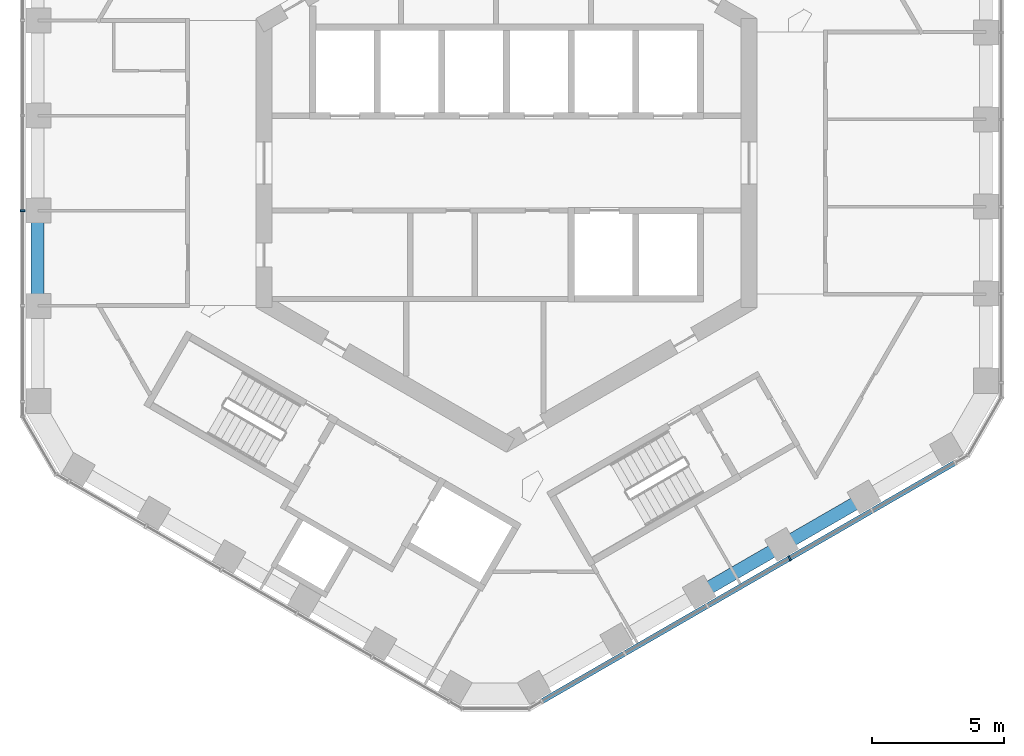
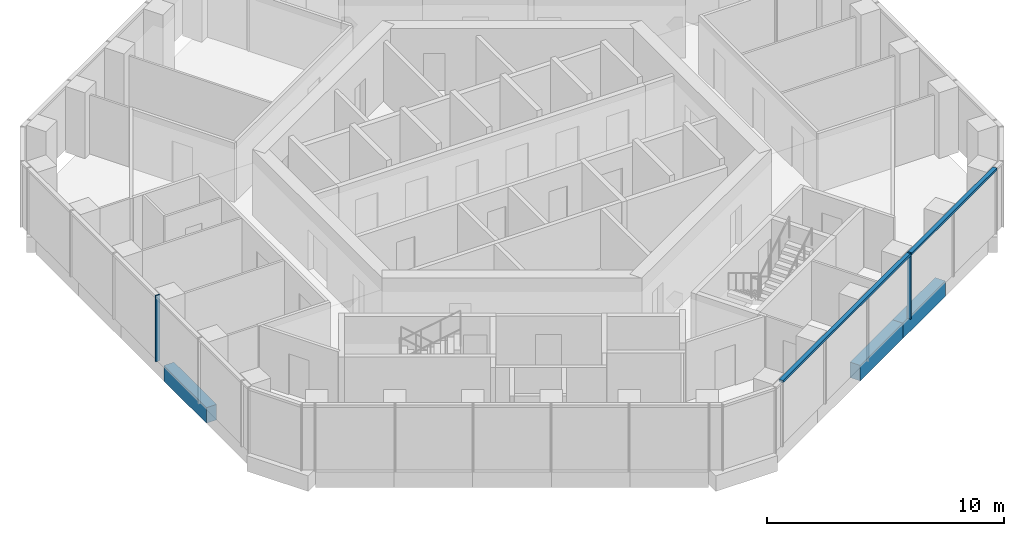
# One storey, part 3 of 18: 3 beams, 3 members, 2 elements without a shape of their own.
"""IFC4 building model written with IfcOpenShell, lengths in metres."""

from ifc_helpers import new_model, si_unit, direction, frame, origin, origin_2d, place, context, subcontext, project, spatial, rectangle, extrude, material, layer, layer_set, material_profile, profile_set, type_object, element, aggregate, save


model = new_model("IFC4")

# Units and contexts
model_context = context("Model", 3, precision=1e-05, world=origin(), true_north=direction((0.0, 1.0)))
body_context = subcontext(model_context, "Body", "Model", "MODEL_VIEW")
ifc_project = project(units=[si_unit("LENGTHUNIT", "METRE"), si_unit("AREAUNIT", "SQUARE_METRE"), si_unit("VOLUMEUNIT", "CUBIC_METRE"), si_unit("PLANEANGLEUNIT", "RADIAN"), si_unit("MASSUNIT", "GRAM", prefix="KILO")], contexts=[model_context])

# Site, building, storey
site_placement = place(None, origin())
site = spatial("IfcSite", under=ifc_project, at=site_placement, CompositionType="ELEMENT")
building_placement = place(site_placement, origin())
building = spatial("IfcBuilding", under=site, at=building_placement, Name="Ayvan Gate Tower", CompositionType="ELEMENT")
storey_placement = place(building_placement, frame((0.0, 0.0, 176.5)))
storey = spatial("IfcBuildingStorey", under=building, at=storey_placement, Name="L47", CompositionType="ELEMENT", Elevation=176.5)

# Beams
ifc_material_1 = material(Name="Concrete C40/50", Category="concrete")
ifc_material_profile_1 = material_profile(ifc_material_1, rectangle(XDim=0.5, YDim=0.800048828125, at=origin_2d()), Name="RC 500x800")
ifc_profile_set_1 = profile_set([ifc_material_profile_1], Name="Concrete C40/50")
beam_type = type_object("IfcBeamType", Name="Spandrel beam RC 500x800 C40/50", PredefinedType="BEAM", material=ifc_profile_set_1)
for number, where, z_axis, x_axis, name in (
    (1, (-17.7841796875, -1.800048828125, -0.75), (0.0, -1.0, 0.0), (1.0, 0.0, 0.0), "SB-L47-22"),
    (2, (7.333251953125, -16.301513671875, -0.75), (0.866018442252, 0.500012057535, 0.0), (-0.500012057535, 0.866018442252, 0.0), "SB-L47-33"),
):
    element("IfcBeam", number, at=place(storey_placement, frame(where, z_axis=z_axis, x_axis=x_axis)), inside=storey, type_object=beam_type, Name=name, PredefinedType="BEAM", context=body_context, shape_type="SweptSolid", body=[
        extrude(rectangle(XDim=0.5, YDim=0.800048828125, at=origin_2d()), origin(), (0.0, 0.0, 1.0), 3.60009765625),
    ])
beam_placement = place(storey_placement, frame((10.450927734375, -14.50146484375, -0.75), z_axis=(0.866035395735, 0.499982693035, 0.0), x_axis=(-0.499982693035, 0.866035395735, 0.0)))
element("IfcBeam", 3, at=beam_placement, inside=storey, type_object=beam_type, Name="SB-L47-34", PredefinedType="BEAM", context=body_context, shape_type="SweptSolid", body=[
    extrude(rectangle(XDim=0.5, YDim=0.800048828125, at=origin_2d()), origin(), (0.0, 0.0, 1.0), 3.600341796875),
])

# Curtain wall, member
ifc_material_2 = material(Name="Bronze anodised aluminium", Category="aluminium")
ifc_layer = layer(ifc_material_2, 0.199951171875)
ifc_layer_set = layer_set([ifc_layer], Name="Bronze anodised aluminium")
curtain_wall_type = type_object("IfcCurtainWallType", Name="Stick curtain wall CW-2", PredefinedType="NOTDEFINED", material=ifc_layer_set)
curtain_wall_1_placement = place(storey_placement, origin())
curtain_wall_1 = element("IfcCurtainWall", 4, at=curtain_wall_1_placement, inside=storey, type_object=curtain_wall_type, Name="Stick curtain wall CW-2 L47", PredefinedType="NOTDEFINED")
ifc_material_profile_2 = material_profile(ifc_material_2, rectangle(XDim=0.199951171875, YDim=0.070068359375, at=origin_2d()), Name="Stick curtain wall CW-2 mullion 200 x 70")
ifc_profile_set_2 = profile_set([ifc_material_profile_2], Name="Bronze anodised aluminium")
member_type_1 = type_object("IfcMemberType", Name="Stick curtain wall CW-2 mullion 200 x 70", PredefinedType="MULLION", material=ifc_profile_set_2)
member_1_placement = place(storey_placement, frame((-18.34619140625, -1.804443359375, 0.0), z_axis=(0.0, 0.0, 1.0), x_axis=(-1.0, 0.0, 0.0)))
member_1 = element("IfcMember", 5, at=member_1_placement, type_object=member_type_1, Name="CW-2 mullion 4", PredefinedType="MULLION", context=body_context, shape_type="SweptSolid", body=[
    extrude(rectangle(XDim=0.199951171875, YDim=0.070068359375, at=origin_2d()), origin(), (0.0, 0.0, 1.0), 3.39990234375),
])
aggregate(curtain_wall_1, [member_1])

# Curtain wall, members
curtain_wall_2_placement = place(storey_placement, origin())
curtain_wall_2 = element("IfcCurtainWall", 6, at=curtain_wall_2_placement, inside=storey, type_object=curtain_wall_type, Name="Stick curtain wall CW-2 L47", PredefinedType="NOTDEFINED")
member_2_placement = place(storey_placement, frame((10.73583984375, -14.98583984375, 0.0), z_axis=(0.0, 0.0, 1.0), x_axis=(0.5, -0.866025403784, 0.0)))
member_2 = element("IfcMember", 7, at=member_2_placement, type_object=member_type_1, Name="CW-2 mullion 4", PredefinedType="MULLION", context=body_context, shape_type="SweptSolid", body=[
    extrude(rectangle(XDim=0.199951171875, YDim=0.070068359375, at=origin_2d()), origin(), (0.0, 0.0, 1.0), 3.39990234375),
])
ifc_material_profile_3 = material_profile(ifc_material_2, rectangle(XDim=0.199951171875, YDim=0.1201171875, at=origin_2d()), Name="Stick curtain wall CW-2 transom 200 x 120")
ifc_profile_set_3 = profile_set([ifc_material_profile_3], Name="Bronze anodised aluminium")
member_type_2 = type_object("IfcMemberType", Name="Stick curtain wall CW-2 transom 200 x 120", PredefinedType="USERDEFINED", material=ifc_profile_set_3)
member_3_placement = place(storey_placement, frame((1.3369140625, -20.412353515625, 3.340087890625), z_axis=(0.86602787586, 0.499995718215, 0.0), x_axis=(-0.499995718215, 0.86602787586, 0.0)))
member_3 = element("IfcMember", 8, at=member_3_placement, type_object=member_type_2, Name="CW-2 transom 1", ObjectType="TRANSOM", PredefinedType="USERDEFINED", context=body_context, shape_type="SweptSolid", body=[
    extrude(rectangle(XDim=0.199951171875, YDim=0.1201171875, at=origin_2d()), origin(), (0.0, 0.0, 1.0), 18.096923828125),
])
aggregate(curtain_wall_2, [member_2, member_3])

save(model, "model.ifc")
